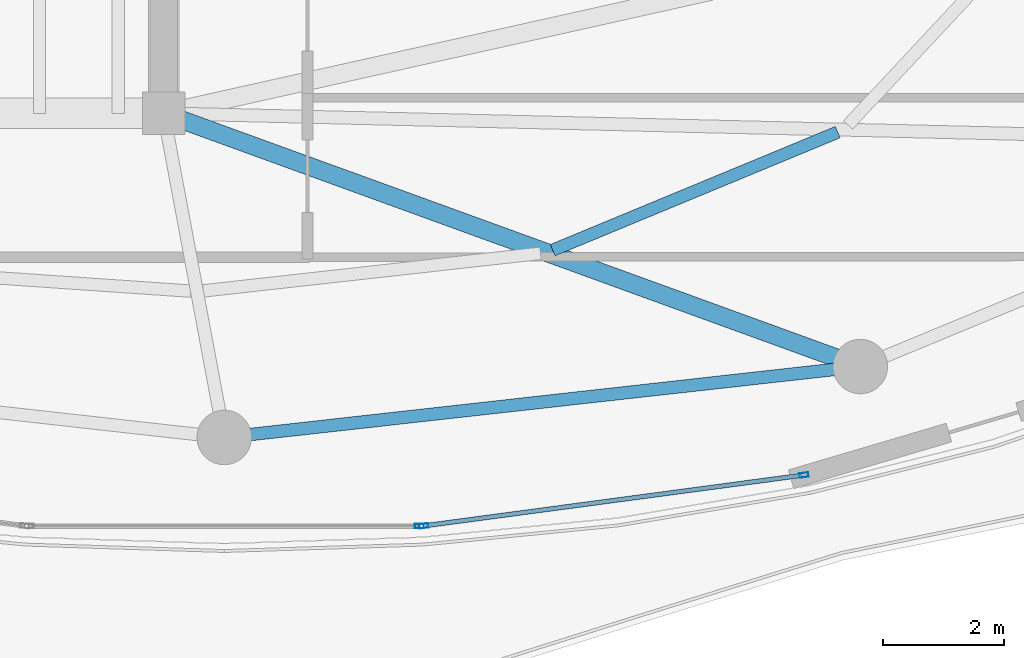
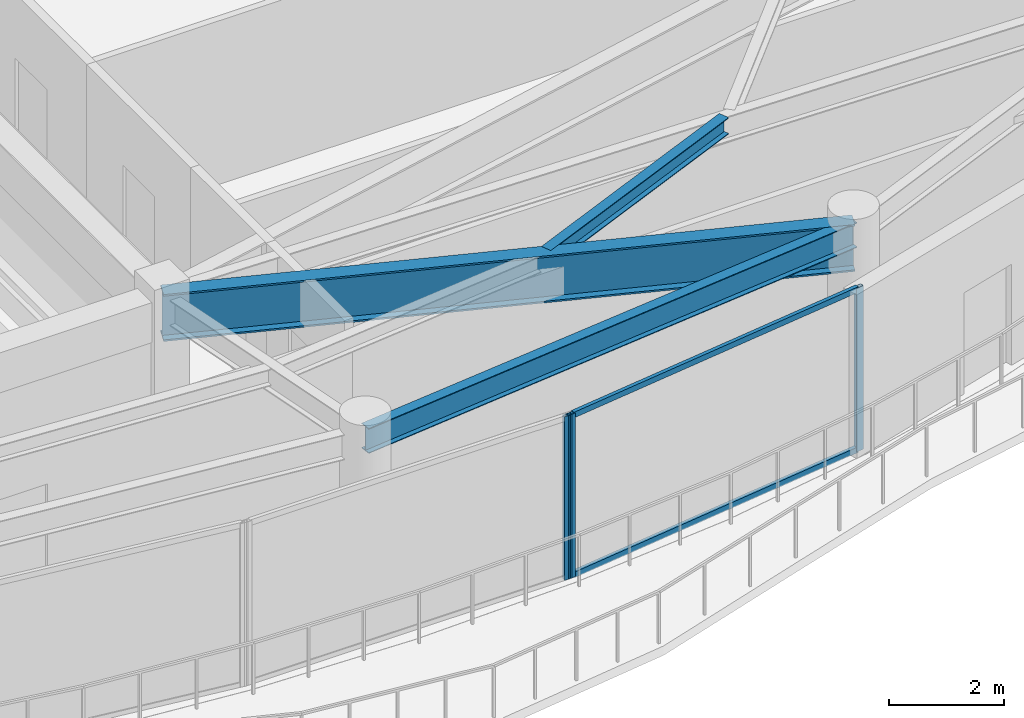
# One storey, part 11 of 29: 5 members, 3 beams, 2 elements without a shape of their own.
"""IFC4 building model written with IfcOpenShell, lengths in metres."""

from ifc_helpers import new_model, si_unit, direction, frame, origin, origin_2d, place, context, subcontext, project, spatial, hollow_rectangle, i_section, extrude, material, layer, layer_set, material_profile, profile_set, type_object, element, aggregate, save


model = new_model("IFC4")

# Units and contexts
model_context = context("Model", 3, precision=1e-05, world=origin(), true_north=direction((0.0, 1.0)))
body_context = subcontext(model_context, "Body", "Model", "MODEL_VIEW")
ifc_project = project(units=[si_unit("LENGTHUNIT", "METRE"), si_unit("AREAUNIT", "SQUARE_METRE"), si_unit("VOLUMEUNIT", "CUBIC_METRE"), si_unit("PLANEANGLEUNIT", "RADIAN"), si_unit("MASSUNIT", "GRAM", prefix="KILO")], contexts=[model_context])

# Site, building, storey
site_placement = place(None, origin())
site = spatial("IfcSite", under=ifc_project, at=site_placement, CompositionType="ELEMENT")
building_placement = place(site_placement, origin())
building = spatial("IfcBuilding", under=site, at=building_placement, Name="Kazevale Care Tower and Concert Hall", CompositionType="ELEMENT")
storey_placement = place(building_placement, frame((0.0, 0.0, 289.0)))
storey = spatial("IfcBuildingStorey", under=building, at=storey_placement, Name="L76", CompositionType="ELEMENT", Elevation=289.0)

# Curtain wall, members
ifc_material_1 = material(Name="Aluminium 6063-T6 and Low-E Glass", Category="aluminium")
ifc_layer = layer(ifc_material_1, 0.179931640625)
ifc_layer_set = layer_set([ifc_layer], Name="Aluminium 6063-T6 and Low-E Glass")
curtain_wall_type = type_object("IfcCurtainWallType", Name="Sheltered Concave Balcony Curtain Wall CW-5", PredefinedType="NOTDEFINED", material=ifc_layer_set)
curtain_wall_1_placement = place(storey_placement, origin())
curtain_wall_1 = element("IfcCurtainWall", 1, at=curtain_wall_1_placement, inside=storey, type_object=curtain_wall_type, Name="cw:L76:f05", PredefinedType="NOTDEFINED")
ifc_material_2 = material(Name="Aluminium 6063-T6", Category="aluminium")
ifc_material_profile_1 = material_profile(ifc_material_2, hollow_rectangle(XDim=0.074951171875, YDim=0.14990234375, WallThickness=0.00390625, at=origin_2d()), Name="ALU75x150x4")
ifc_profile_set_1 = profile_set([ifc_material_profile_1], Name="Aluminium 6063-T6")
member_type_1 = type_object("IfcMemberType", Name="CW-5 Mullion ALU75x150x4", PredefinedType="MULLION", material=ifc_profile_set_1)
member_1_placement = place(storey_placement, frame((54.56982421875, 17.629150390625, 0.0), z_axis=(0.0, 0.0, 1.0), x_axis=(0.132542069018, -0.991177380664, 0.0)))
member_1 = element("IfcMember", 2, at=member_1_placement, type_object=member_type_1, Name="CW-5 mullion 1", PredefinedType="MULLION", context=body_context, shape_type="SweptSolid", body=[
    extrude(hollow_rectangle(XDim=0.074951171875, YDim=0.14990234375, WallThickness=0.00390625, at=origin_2d()), origin(), (0.0, 0.0, 1.0), 3.47998046875),
])
member_2_placement = place(storey_placement, frame((48.295166015625, 16.7900390625, 0.0), z_axis=(0.0, 0.0, 1.0), x_axis=(0.132542069018, -0.991177380664, 0.0)))
member_2 = element("IfcMember", 3, at=member_2_placement, type_object=member_type_1, Name="CW-5 mullion 2", PredefinedType="MULLION", context=body_context, shape_type="SweptSolid", body=[
    extrude(hollow_rectangle(XDim=0.074951171875, YDim=0.14990234375, WallThickness=0.00390625, at=origin_2d()), origin(), (0.0, 0.0, 1.0), 3.47998046875),
])

# Curtain wall, member
curtain_wall_2_placement = place(storey_placement, origin())
curtain_wall_2 = element("IfcCurtainWall", 4, at=curtain_wall_2_placement, inside=storey, type_object=curtain_wall_type, Name="cw:L76:f06", PredefinedType="NOTDEFINED")
member_3_placement = place(storey_placement, frame((48.220458984375, 16.784912109375, 0.0), z_axis=(0.0, 0.0, 1.0), x_axis=(0.0, -1.0, 0.0)))
member_3 = element("IfcMember", 5, at=member_3_placement, type_object=member_type_1, Name="CW-5 mullion 1", PredefinedType="MULLION", context=body_context, shape_type="SweptSolid", body=[
    extrude(hollow_rectangle(XDim=0.074951171875, YDim=0.14990234375, WallThickness=0.00390625, at=origin_2d()), origin(), (0.0, 0.0, 1.0), 3.47998046875),
])
aggregate(curtain_wall_2, [member_3])

# Member
ifc_material_profile_2 = material_profile(ifc_material_2, hollow_rectangle(XDim=0.074951171875, YDim=0.1201171875, WallThickness=0.00390625, at=origin_2d()), Name="ALU75x120x4")
ifc_profile_set_2 = profile_set([ifc_material_profile_2], Name="Aluminium 6063-T6")
member_type_2 = type_object("IfcMemberType", Name="CW-5 Transom ALU75x120x4", PredefinedType="USERDEFINED", material=ifc_profile_set_2)
member_4_placement = place(storey_placement, frame((54.53271484375, 17.6240234375, 0.03759765625), z_axis=(-0.991178066261, -0.132536941884, 0.0), x_axis=(0.132536941884, -0.991178066261, 0.0)))
member_4 = element("IfcMember", 6, at=member_4_placement, type_object=member_type_2, Name="CW-5 transom 1.1", ObjectType="TRANSOM", PredefinedType="USERDEFINED", context=body_context, shape_type="SweptSolid", body=[
    extrude(hollow_rectangle(XDim=0.074951171875, YDim=0.1201171875, WallThickness=0.00390625, at=origin_2d()), origin(), (0.0, 0.0, 1.0), 6.255615234375),
])

member_5_placement = place(storey_placement, frame((54.53271484375, 17.6240234375, 3.4423828125), z_axis=(-0.991178066261, -0.132536941884, 0.0), x_axis=(0.132536941884, -0.991178066261, 0.0)))
member_5 = element("IfcMember", 7, at=member_5_placement, type_object=member_type_2, Name="CW-5 transom 1.2", ObjectType="TRANSOM", PredefinedType="USERDEFINED", context=body_context, shape_type="SweptSolid", body=[
    extrude(hollow_rectangle(XDim=0.074951171875, YDim=0.1201171875, WallThickness=0.00390625, at=origin_2d()), origin(), (0.0, 0.0, 1.0), 6.255615234375),
])

aggregate(curtain_wall_1, [member_1, member_2, member_4, member_5])

# Beams
ifc_material_3 = material(Name="Steel ASTM A572 Gr 50", Category="steel")
ifc_material_profile_3 = material_profile(ifc_material_3, i_section(OverallWidth=0.300048828125, OverallDepth=1.0, WebThickness=0.02099609375, FlangeThickness=0.035888671875, at=origin_2d()), Name="W1000x371")
ifc_profile_set_3 = profile_set([ifc_material_profile_3], Name="Steel ASTM A572 Gr 50")
beam_type_1 = type_object("IfcBeamType", Name="Crown Radial Girder W1000x371", PredefinedType="BEAM", material=ifc_profile_set_3)
beam_1_placement = place(storey_placement, frame((44.0, 23.60009765625, 2.97998046875), z_axis=(0.939836524786, -0.341624511239, 0.0), x_axis=(0.341624511239, 0.939836524786, 0.0)))
element("IfcBeam", 8, at=beam_1_placement, inside=storey, type_object=beam_type_1, Name="beam:L76:crowntg:5", PredefinedType="BEAM", context=body_context, shape_type="SweptSolid", body=[
    extrude(i_section(OverallWidth=0.300048828125, OverallDepth=1.0, WebThickness=0.02099609375, FlangeThickness=0.035888671875, at=origin_2d()), origin(), (0.0, 0.0, 1.0), 12.236083984375),
])
ifc_material_profile_4 = material_profile(ifc_material_3, i_section(OverallWidth=0.205078125, OverallDepth=0.35400390625, WebThickness=0.009521484375, FlangeThickness=0.016845703125, at=origin_2d()), Name="W360x79")
ifc_profile_set_4 = profile_set([ifc_material_profile_4], Name="Steel ASTM A572 Gr 50")
beam_type_2 = type_object("IfcBeamType", Name="Secondary Floor Joist W360x79", PredefinedType="JOIST", material=ifc_profile_set_4)
beam_2_placement = place(storey_placement, frame((50.422119140625, 21.341064453125, 3.302978515625), z_axis=(0.92389590915, 0.382643893268, 0.0), x_axis=(-0.382643893268, 0.92389590915, 0.0)))
element("IfcBeam", 9, at=beam_2_placement, inside=storey, type_object=beam_type_2, Name="beam:L76:joist:14", PredefinedType="JOIST", context=body_context, shape_type="SweptSolid", body=[
    extrude(i_section(OverallWidth=0.205078125, OverallDepth=0.35400390625, WebThickness=0.009521484375, FlangeThickness=0.016845703125, at=origin_2d()), origin(), (0.0, 0.0, 1.0), 5.093505859375),
])
ifc_material_profile_5 = material_profile(ifc_material_3, i_section(OverallWidth=0.208984375, OverallDepth=0.532958984375, WebThickness=0.01025390625, FlangeThickness=0.015625, at=origin_2d()), Name="W530x92")
ifc_profile_set_5 = profile_set([ifc_material_profile_5], Name="Steel ASTM A572 Gr 50")
beam_type_3 = type_object("IfcBeamType", Name="Upper Ring Beam W530x92", PredefinedType="BEAM", material=ifc_profile_set_5)
beam_3_placement = place(storey_placement, frame((45.0, 18.25, 3.21337890625), z_axis=(0.993849870772, 0.110735876598, 0.0), x_axis=(-0.110735876598, 0.993849870772, 0.0)))
element("IfcBeam", 10, at=beam_3_placement, inside=storey, type_object=beam_type_3, Name="beam:L76:ring:13", PredefinedType="BEAM", context=body_context, shape_type="SweptSolid", body=[
    extrude(i_section(OverallWidth=0.208984375, OverallDepth=0.532958984375, WebThickness=0.01025390625, FlangeThickness=0.015625, at=origin_2d()), origin(), (0.0, 0.0, 1.0), 10.56494140625),
])

save(model, "model.ifc")
